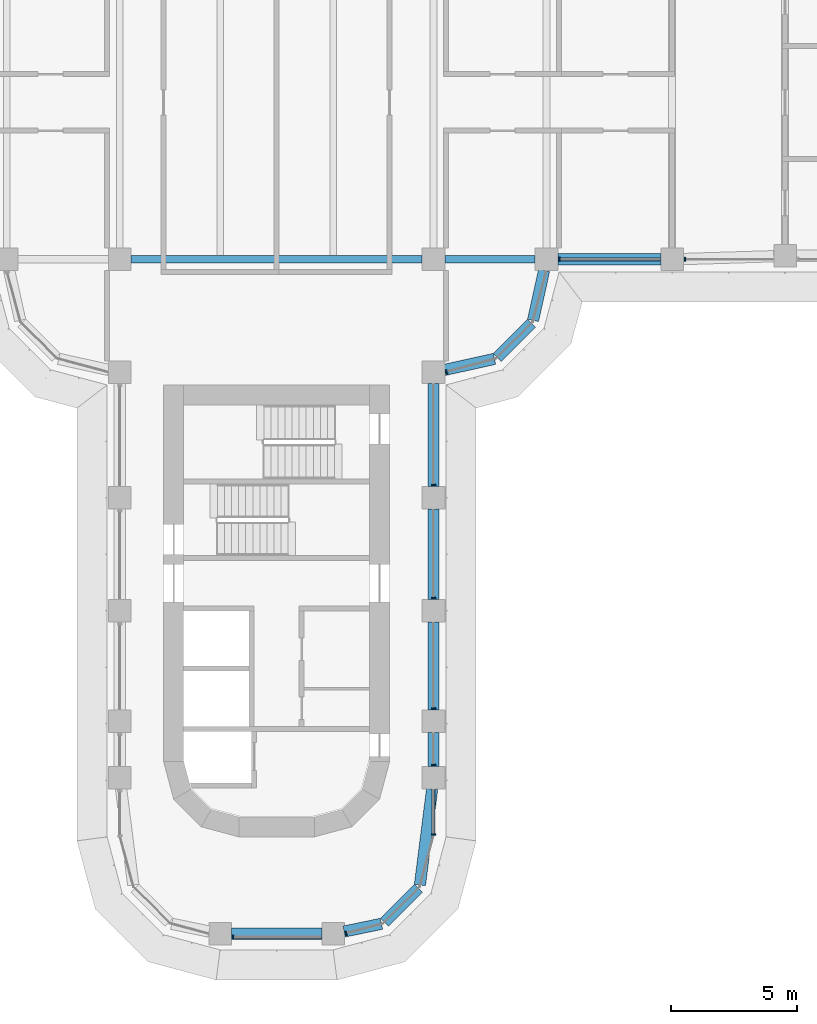
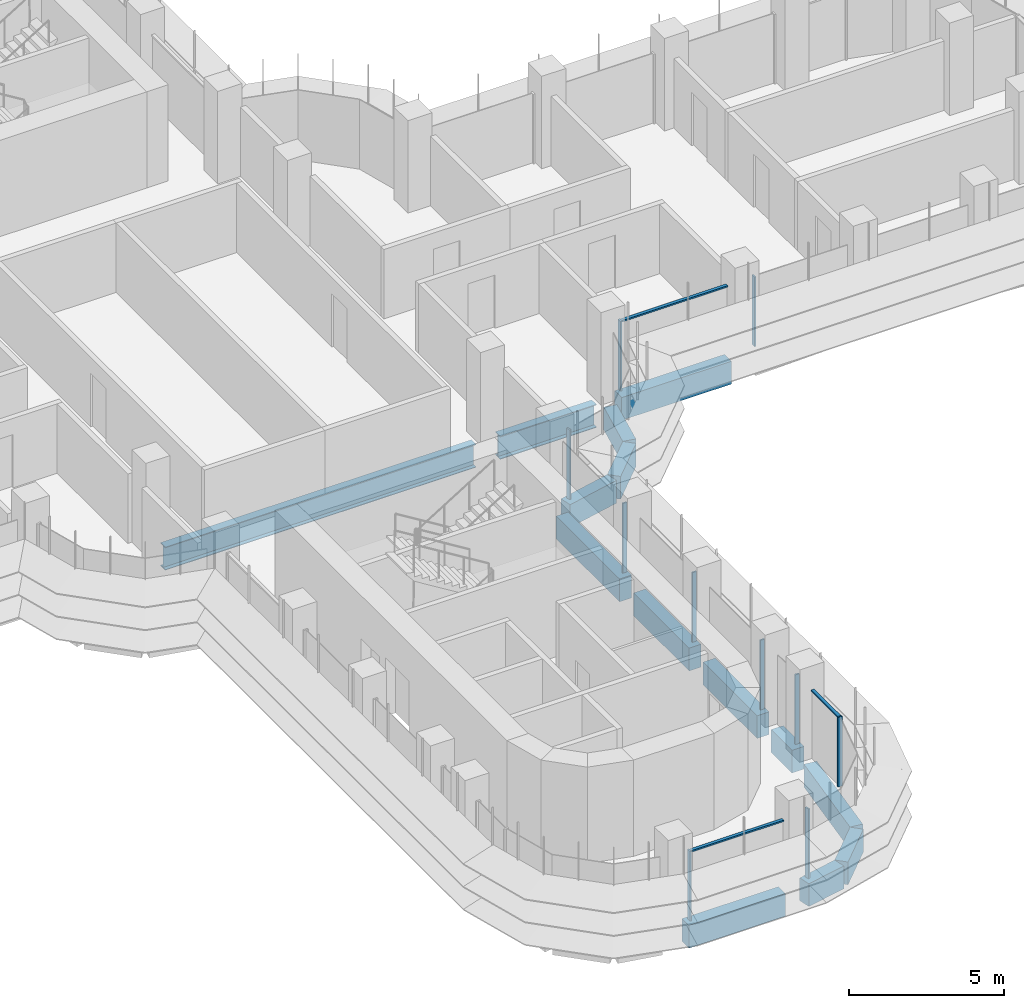
# One storey, part 4 of 21: 14 beams, 13 members, 5 elements without a shape of their own.
"""IFC4 building model written with IfcOpenShell, lengths in metres."""

from ifc_helpers import new_model, si_unit, direction, frame, origin, origin_2d, place, context, subcontext, project, spatial, polyline, rectangle, i_section, outline, extrude, source, transform, mapped, material, material_profile, profile_set, type_object, element, aggregate, save


model = new_model("IFC4")

# Units and contexts
model_context = context("Model", 3, precision=1e-05, world=origin(), true_north=direction((0.0, 1.0)))
body_context = subcontext(model_context, "Body", "Model", "MODEL_VIEW")
ifc_project = project(units=[si_unit("LENGTHUNIT", "METRE"), si_unit("AREAUNIT", "SQUARE_METRE"), si_unit("VOLUMEUNIT", "CUBIC_METRE"), si_unit("PLANEANGLEUNIT", "RADIAN"), si_unit("MASSUNIT", "GRAM", prefix="KILO")], contexts=[model_context])

# Site, building, storey
site_placement = place(None, origin())
site = spatial("IfcSite", under=ifc_project, at=site_placement, CompositionType="ELEMENT")
building_placement = place(site_placement, origin())
building = spatial("IfcBuilding", under=site, at=building_placement, Name="Zarbagh Exchange Tower", CompositionType="ELEMENT")
storey_placement = place(building_placement, frame((0.0, 0.0, 128.39990234375)))
storey = spatial("IfcBuildingStorey", under=building, at=storey_placement, Name="L30", CompositionType="ELEMENT", Elevation=128.39990234375)

# Beams
ifc_material_1 = material(Name="Steel ASTM A992 Gr 50", Category="steel")
ifc_material_profile_1 = material_profile(ifc_material_1, i_section(OverallWidth=0.3046875, OverallDepth=0.911865234375, WebThickness=0.015869140625, FlangeThickness=0.02392578125, at=origin_2d()), Name="W36X150")
ifc_profile_set_1 = profile_set([ifc_material_profile_1], Name="Steel ASTM A992 Gr 50")
beam_type_1 = type_object("IfcBeamType", Name="Floor girder W36X150", PredefinedType="BEAM", material=ifc_profile_set_1)
beam_1_placement = place(storey_placement, frame((-5.800048828125, -6.25, -0.605712890625), z_axis=(1.0, 0.0, 0.0), x_axis=(0.0, 1.0, 0.0)))
element("IfcBeam", 1, at=beam_1_placement, inside=storey, type_object=beam_type_1, Name="Steel girder", PredefinedType="BEAM", context=body_context, shape_type="SweptSolid", body=[
    extrude(i_section(OverallWidth=0.3046875, OverallDepth=0.911865234375, WebThickness=0.015869140625, FlangeThickness=0.02392578125, at=origin_2d()), origin(), (0.0, 0.0, 1.0), 11.60009765625),
])
beam_2_placement = place(storey_placement, frame((6.699951171875, -6.25, -0.605712890625), z_axis=(1.0, 0.0, 0.0), x_axis=(0.0, 1.0, 0.0)))
element("IfcBeam", 2, at=beam_2_placement, inside=storey, type_object=beam_type_1, Name="Steel girder", PredefinedType="BEAM", context=body_context, shape_type="SweptSolid", body=[
    extrude(i_section(OverallWidth=0.3046875, OverallDepth=0.911865234375, WebThickness=0.015869140625, FlangeThickness=0.02392578125, at=origin_2d()), origin(), (0.0, 0.0, 1.0), 3.60009765625),
])
ifc_material_2 = material(Name="Concrete C60/75", Category="concrete")
ifc_material_profile_2 = material_profile(ifc_material_2, rectangle(XDim=0.449951171875, YDim=0.89990234375, at=origin_2d()), Name="RC spandrel beam 450 x 900 C60/75")
ifc_profile_set_2 = profile_set([ifc_material_profile_2], Name="Concrete C60/75")
beam_type_2 = type_object("IfcBeamType", Name="RC spandrel beam 450 x 900 C60/75", PredefinedType="SPANDREL", material=ifc_profile_set_2)
beam_3_placement = place(storey_placement, frame((15.300048828125, -6.25, -0.599853515625), z_axis=(-1.0, 0.0, 0.0), x_axis=(0.0, -1.0, 0.0)))
element("IfcBeam", 3, at=beam_3_placement, inside=storey, type_object=beam_type_2, Name="RC spandrel beam", PredefinedType="SPANDREL", context=body_context, shape_type="SweptSolid", body=[
    extrude(rectangle(XDim=0.449951171875, YDim=0.89990234375, at=origin_2d()), origin(), (0.0, 0.0, 1.0), 4.10009765625),
])
beam_4_placement = place(storey_placement, frame((10.65283203125, -6.689453125, -0.599853515625), z_axis=(-0.216117666208, -0.976367325525, 0.0), x_axis=(0.976367325525, -0.216117666208, 0.0)))
element("IfcBeam", 4, at=beam_4_placement, inside=storey, type_object=beam_type_2, Name="RC spandrel beam", PredefinedType="SPANDREL", context=body_context, shape_type="SweptSolid", body=[
    extrude(rectangle(XDim=0.449951171875, YDim=0.89990234375, at=origin_2d()), origin(), (0.0, 0.0, 1.0), 2.03564453125),
])
beam_5_placement = place(storey_placement, frame((10.15234375, -8.78759765625, -0.599853515625), z_axis=(-0.707106781187, -0.707106781187, 0.0), x_axis=(0.707106781187, -0.707106781187, 0.0)))
element("IfcBeam", 5, at=beam_5_placement, inside=storey, type_object=beam_type_2, Name="RC spandrel beam", PredefinedType="SPANDREL", context=body_context, shape_type="SweptSolid", body=[
    extrude(rectangle(XDim=0.449951171875, YDim=0.89990234375, at=origin_2d()), origin(), (0.0, 0.0, 1.0), 1.929931640625),
])
beam_6_placement = place(storey_placement, frame((8.677001953125, -10.212890625, -0.599853515625), z_axis=(-0.976367325525, -0.216117666208, 0.0), x_axis=(0.216117666208, -0.976367325525, 0.0)))
element("IfcBeam", 6, at=beam_6_placement, inside=storey, type_object=beam_type_2, Name="RC spandrel beam", PredefinedType="SPANDREL", context=body_context, shape_type="SweptSolid", body=[
    extrude(rectangle(XDim=0.449951171875, YDim=0.89990234375, at=origin_2d()), origin(), (0.0, 0.0, 1.0), 2.03564453125),
])
beam_7_placement = place(storey_placement, frame((6.25, -11.199951171875, -0.599853515625), z_axis=(0.0, -1.0, 0.0), x_axis=(1.0, 0.0, 0.0)))
element("IfcBeam", 7, at=beam_7_placement, inside=storey, type_object=beam_type_2, Name="RC spandrel beam", PredefinedType="SPANDREL", context=body_context, shape_type="SweptSolid", body=[
    extrude(rectangle(XDim=0.449951171875, YDim=0.89990234375, at=origin_2d()), origin(), (0.0, 0.0, 1.0), 4.10009765625),
])
beam_8_placement = place(storey_placement, frame((6.25, -16.199951171875, -0.599853515625), z_axis=(0.0, -1.0, 0.0), x_axis=(1.0, 0.0, 0.0)))
element("IfcBeam", 8, at=beam_8_placement, inside=storey, type_object=beam_type_2, Name="RC spandrel beam", PredefinedType="SPANDREL", context=body_context, shape_type="SweptSolid", body=[
    extrude(rectangle(XDim=0.449951171875, YDim=0.89990234375, at=origin_2d()), origin(), (0.0, 0.0, 1.0), 3.60009765625),
])
beam_9_placement = place(storey_placement, frame((6.25, -20.699951171875, -0.599853515625), z_axis=(0.0, -1.0, 0.0), x_axis=(1.0, 0.0, 0.0)))
element("IfcBeam", 9, at=beam_9_placement, inside=storey, type_object=beam_type_2, Name="RC spandrel beam", PredefinedType="SPANDREL", context=body_context, shape_type="SweptSolid", body=[
    extrude(rectangle(XDim=0.449951171875, YDim=0.89990234375, at=origin_2d()), origin(), (0.0, 0.0, 1.0), 3.5),
])
beam_10_placement = place(storey_placement, frame((6.25, -25.10009765625, -0.599853515625), z_axis=(0.0, -1.0, 0.0), x_axis=(1.0, 0.0, 0.0)))
element("IfcBeam", 10, at=beam_10_placement, inside=storey, type_object=beam_type_2, Name="RC spandrel beam", PredefinedType="SPANDREL", context=body_context, shape_type="SweptSolid", body=[
    extrude(rectangle(XDim=0.449951171875, YDim=0.89990234375, at=origin_2d()), origin(), (0.0, 0.0, 1.0), 1.349853515625),
])
beam_11_placement = place(storey_placement, frame((6.193359375, -27.346435546875, -0.599853515625), z_axis=(-0.12597055537, -0.992033980859, 0.0), x_axis=(0.992033980859, -0.12597055537, 0.0)))
element("IfcBeam", 11, at=beam_11_placement, inside=storey, type_object=beam_type_2, Name="RC spandrel beam", PredefinedType="SPANDREL", context=body_context, shape_type="SweptSolid", body=[
    extrude(rectangle(XDim=0.449951171875, YDim=0.89990234375, at=origin_2d()), origin(), (0.0, 0.0, 1.0), 3.84912109375),
])
beam_12_placement = place(storey_placement, frame((5.644287109375, -31.295654296875, -0.599853515625), z_axis=(-0.707106781187, -0.707106781187, 0.0), x_axis=(0.707106781187, -0.707106781187, 0.0)))
element("IfcBeam", 12, at=beam_12_placement, inside=storey, type_object=beam_type_2, Name="RC spandrel beam", PredefinedType="SPANDREL", context=body_context, shape_type="SweptSolid", body=[
    extrude(rectangle(XDim=0.449951171875, YDim=0.89990234375, at=origin_2d()), origin(), (0.0, 0.0, 1.0), 1.9169921875),
])
beam_13_placement = place(storey_placement, frame((4.17529296875, -32.71240234375, -0.599853515625), z_axis=(-0.979328675816, -0.202275417995, 0.0), x_axis=(0.202275417995, -0.979328675816, 0.0)))
element("IfcBeam", 13, at=beam_13_placement, inside=storey, type_object=beam_type_2, Name="RC spandrel beam", PredefinedType="SPANDREL", context=body_context, shape_type="SweptSolid", body=[
    extrude(rectangle(XDim=0.449951171875, YDim=0.89990234375, at=origin_2d()), origin(), (0.0, 0.0, 1.0), 1.515869140625),
])
beam_14_placement = place(storey_placement, frame((1.800048828125, -33.110107421875, -0.599853515625), z_axis=(-1.0, 0.0, 0.0), x_axis=(0.0, -1.0, 0.0)))
element("IfcBeam", 14, at=beam_14_placement, inside=storey, type_object=beam_type_2, Name="RC spandrel beam", PredefinedType="SPANDREL", context=body_context, shape_type="SweptSolid", body=[
    extrude(rectangle(XDim=0.449951171875, YDim=0.89990234375, at=origin_2d()), origin(), (0.0, 0.0, 1.0), 3.60009765625),
])

# Curtain wall, member
ifc_material_3 = material(Name="Anodised aluminium frame and glazing", Category="aluminium")
curtain_wall_type = type_object("IfcCurtainWallType", Name="CWA Ribbon glazing, lower zones", PredefinedType="NOTDEFINED", material=ifc_material_3)
curtain_wall_1_placement = place(storey_placement, origin())
curtain_wall_1 = element("IfcCurtainWall", 15, at=curtain_wall_1_placement, inside=storey, type_object=curtain_wall_type, Name="CWA01 curtain wall", PredefinedType="NOTDEFINED")
ifc_material_4 = material(Name="Anodised aluminium frame", Category="aluminium")
member_type_1 = type_object("IfcMemberType", Name="MUA Mullion, anodised aluminium frame", PredefinedType="MULLION", material=ifc_material_4)
shared_shape_1 = source(origin(), body_context, "Body", "SweptSolid", [
    extrude(outline(polyline([(0.0, -0.080078125), (0.06005859375, -0.080078125), (0.06005859375, 0.080078125), (0.0, 0.080078125), (0.0, -0.080078125)])), origin(), (0.0, 0.0, 1.0), 2.75),
])
placement = place(storey_placement, origin())
member_1 = element("IfcMember", 16, at=placement, type_object=member_type_1, Name="CWA01 mullion 1.1", PredefinedType="MULLION", context=body_context, shape_type="MappedRepresentation", body=[
    mapped(shared_shape_1, transform((2.739990234375, -33.10107421875, 0.0), x_axis=(0.965924289636, 0.258824779902, 0.0), y_axis=(-0.258824779902, 0.965924289636, 0.0), z_axis=(0.0, 0.0, 1.0))),
])
aggregate(curtain_wall_1, [member_1])

# Curtain wall, members
curtain_wall_2_placement = place(storey_placement, origin())
curtain_wall_2 = element("IfcCurtainWall", 17, at=curtain_wall_2_placement, inside=storey, type_object=curtain_wall_type, Name="CWA04 curtain wall", PredefinedType="NOTDEFINED")
member_2 = element("IfcMember", 18, at=placement, type_object=member_type_1, Name="CWA04 mullion 1.1", PredefinedType="MULLION", context=body_context, shape_type="MappedRepresentation", body=[
    mapped(shared_shape_1, transform((6.25, -29.18408203125, 0.0), x_axis=(0.0, 1.0, 0.0), y_axis=(-1.0, 0.0, 0.0), z_axis=(0.0, 0.0, 1.0))),
])
member_3 = element("IfcMember", 19, at=placement, type_object=member_type_1, Name="CWA04 mullion 2.1", PredefinedType="MULLION", context=body_context, shape_type="MappedRepresentation", body=[
    mapped(shared_shape_1, transform((6.25, -26.409912109375, 0.0), x_axis=(0.0, 1.0, 0.0), y_axis=(-1.0, 0.0, 0.0), z_axis=(0.0, 0.0, 1.0))),
])
member_4 = element("IfcMember", 20, at=placement, type_object=member_type_1, Name="CWA04 mullion 3.1", PredefinedType="MULLION", context=body_context, shape_type="MappedRepresentation", body=[
    mapped(shared_shape_1, transform((6.25, -24.159912109375, 0.0), x_axis=(0.0, 1.0, 0.0), y_axis=(-1.0, 0.0, 0.0), z_axis=(0.0, 0.0, 1.0))),
])
member_5 = element("IfcMember", 21, at=placement, type_object=member_type_1, Name="CWA04 mullion 4.1", PredefinedType="MULLION", context=body_context, shape_type="MappedRepresentation", body=[
    mapped(shared_shape_1, transform((6.25, -19.760009765625, 0.0), x_axis=(0.0, 1.0, 0.0), y_axis=(-1.0, 0.0, 0.0), z_axis=(0.0, 0.0, 1.0))),
])
member_6 = element("IfcMember", 22, at=placement, type_object=member_type_1, Name="CWA04 mullion 5.1", PredefinedType="MULLION", context=body_context, shape_type="MappedRepresentation", body=[
    mapped(shared_shape_1, transform((6.25, -15.260009765625, 0.0), x_axis=(0.0, 1.0, 0.0), y_axis=(-1.0, 0.0, 0.0), z_axis=(0.0, 0.0, 1.0))),
])

# Curtain wall, member
curtain_wall_3_placement = place(storey_placement, origin())
curtain_wall_3 = element("IfcCurtainWall", 23, at=curtain_wall_3_placement, inside=storey, type_object=curtain_wall_type, Name="CWA05 curtain wall", PredefinedType="NOTDEFINED")
member_7 = element("IfcMember", 24, at=placement, type_object=member_type_1, Name="CWA05 mullion 1.1", PredefinedType="MULLION", context=body_context, shape_type="MappedRepresentation", body=[
    mapped(shared_shape_1, transform((6.739990234375, -10.735107421875, 0.0), x_axis=(0.965924289636, 0.258824779902, 0.0), y_axis=(-0.258824779902, 0.965924289636, 0.0), z_axis=(0.0, 0.0, 1.0))),
])
aggregate(curtain_wall_3, [member_7])

# Curtain wall, members
curtain_wall_4_placement = place(storey_placement, origin())
curtain_wall_4 = element("IfcCurtainWall", 25, at=curtain_wall_4_placement, inside=storey, type_object=curtain_wall_type, Name="CWA58 curtain wall", PredefinedType="NOTDEFINED")
member_8 = element("IfcMember", 26, at=placement, type_object=member_type_1, Name="CWA58 mullion 1.1", PredefinedType="MULLION", context=body_context, shape_type="MappedRepresentation", body=[
    mapped(shared_shape_1, transform((11.239990234375, -6.25, 0.0), x_axis=(1.0, 0.0, 0.0), y_axis=(0.0, 1.0, 0.0), z_axis=(0.0, 0.0, 1.0))),
])
member_9 = element("IfcMember", 27, at=placement, type_object=member_type_1, Name="CWA58 mullion 2.1", PredefinedType="MULLION", context=body_context, shape_type="MappedRepresentation", body=[
    mapped(shared_shape_1, transform((16.239990234375, -6.25, 0.0), x_axis=(1.0, 0.0, 0.0), y_axis=(0.0, 1.0, 0.0), z_axis=(0.0, 0.0, 1.0))),
])

# Curtain wall, member
curtain_wall_5_placement = place(storey_placement, origin())
curtain_wall_5 = element("IfcCurtainWall", 28, at=curtain_wall_5_placement, inside=storey, type_object=curtain_wall_type, Name="CWA48 curtain wall", PredefinedType="NOTDEFINED")
member_10 = element("IfcMember", 29, at=placement, type_object=member_type_1, Name="CWA48 mullion 1.1", PredefinedType="MULLION", context=body_context, shape_type="MappedRepresentation", body=[
    mapped(shared_shape_1, transform((-1.760009765625, -33.25, 0.0), x_axis=(1.0, 0.0, 0.0), y_axis=(0.0, 1.0, 0.0), z_axis=(0.0, 0.0, 1.0))),
])

# Member
member_type_2 = type_object("IfcMemberType", Name="TRA Transom, anodised aluminium frame", PredefinedType="USERDEFINED", material=ifc_material_4)
shared_shape_2 = source(origin(), body_context, "Body", "SweptSolid", [
    extrude(outline(polyline([(-0.06005859375, -0.06005859375), (0.0, -0.06005859375), (0.0, 0.06005859375), (-0.06005859375, 0.06005859375), (-0.06005859375, -0.06005859375)])), origin(), (0.0, 0.0, 1.0), 1.734130859375),
])
member_11 = element("IfcMember", 30, at=placement, type_object=member_type_2, Name="CWA04 transom 1.1", ObjectType="TRANSOM", PredefinedType="USERDEFINED", context=body_context, shape_type="MappedRepresentation", body=[
    mapped(shared_shape_2, transform((6.25, -29.124267578125, 2.75), x_axis=(0.0, 0.0, 1.0), y_axis=(1.0, 0.0, 0.0), z_axis=(0.0, 1.0, 0.0))),
])

aggregate(curtain_wall_2, [member_2, member_11, member_3, member_4, member_5, member_6])

shared_shape_3 = source(origin(), body_context, "Body", "SweptSolid", [
    extrude(outline(polyline([(-0.06005859375, -0.06005859375), (0.0, -0.06005859375), (0.0, 0.06005859375), (-0.06005859375, 0.06005859375), (-0.06005859375, -0.06005859375)])), origin(), (0.0, 0.0, 1.0), 3.9599609375),
])
member_12 = element("IfcMember", 31, at=placement, type_object=member_type_2, Name="CWA58 transom 1.1", ObjectType="TRANSOM", PredefinedType="USERDEFINED", context=body_context, shape_type="MappedRepresentation", body=[
    mapped(shared_shape_3, transform((11.300048828125, -6.25, 2.75), x_axis=(0.0, 0.0, 1.0), y_axis=(0.0, -1.0, 0.0), z_axis=(1.0, 0.0, 0.0))),
])

aggregate(curtain_wall_4, [member_8, member_12, member_9])

shared_shape_4 = source(origin(), body_context, "Body", "SweptSolid", [
    extrude(outline(polyline([(-0.06005859375, -0.06005859375), (0.0, -0.06005859375), (0.0, 0.06005859375), (-0.06005859375, 0.06005859375), (-0.06005859375, -0.06005859375)])), origin(), (0.0, 0.0, 1.0), 3.4599609375),
])
member_13 = element("IfcMember", 32, at=placement, type_object=member_type_2, Name="CWA48 transom 1.1", ObjectType="TRANSOM", PredefinedType="USERDEFINED", context=body_context, shape_type="MappedRepresentation", body=[
    mapped(shared_shape_4, transform((-1.699951171875, -33.25, 2.75), x_axis=(0.0, 0.0, 1.0), y_axis=(0.0, -1.0, 0.0), z_axis=(1.0, 0.0, 0.0))),
])

aggregate(curtain_wall_5, [member_10, member_13])

save(model, "model.ifc")
